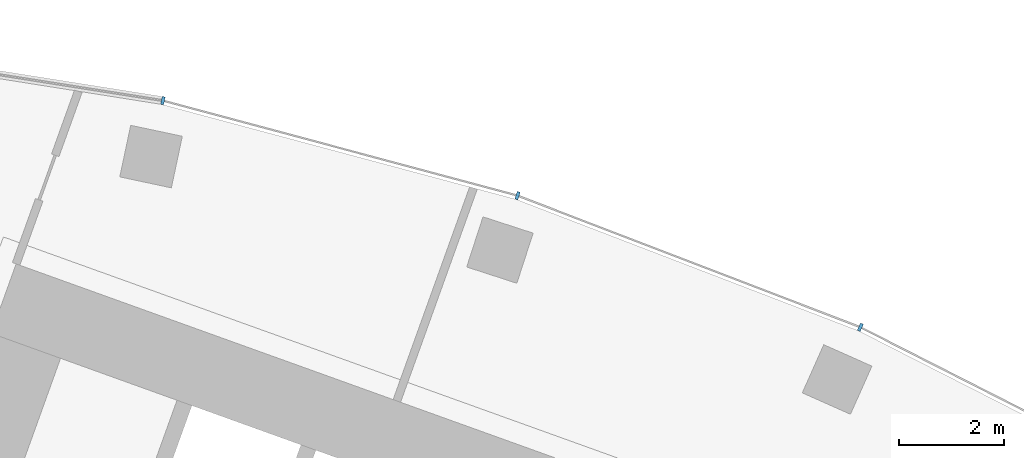
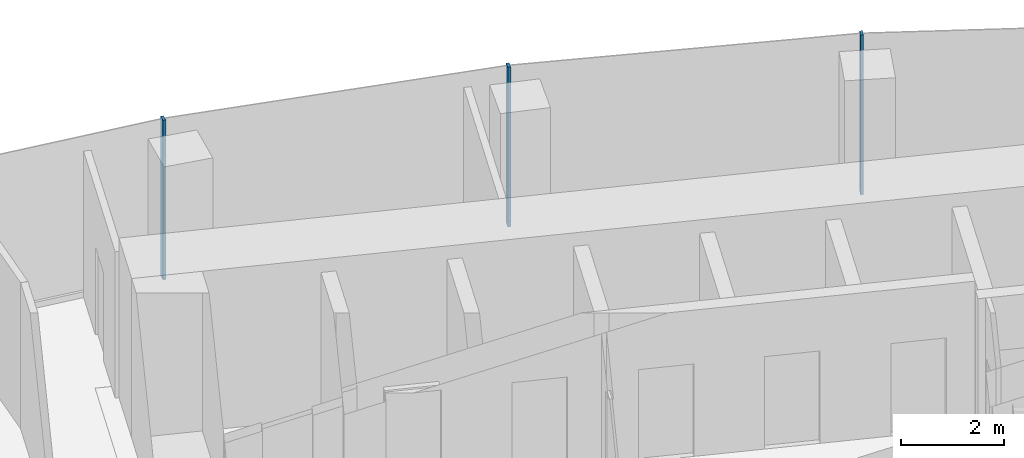
# One storey, part 10 of 21: 3 members, 1 element without a shape of its own.
"""IFC4 building model written with IfcOpenShell, lengths in metres."""

from ifc_helpers import new_model, si_unit, direction, frame, origin, origin_2d, place, context, subcontext, project, spatial, rectangle, extrude, material, layer, layer_set, material_profile, profile_set, type_object, element, aggregate, save


model = new_model("IFC4")

# Units and contexts
model_context = context("Model", 3, precision=1e-05, world=origin(), true_north=direction((0.0, 1.0)))
body_context = subcontext(model_context, "Body", "Model", "MODEL_VIEW")
ifc_project = project(units=[si_unit("LENGTHUNIT", "METRE"), si_unit("AREAUNIT", "SQUARE_METRE"), si_unit("VOLUMEUNIT", "CUBIC_METRE"), si_unit("PLANEANGLEUNIT", "RADIAN"), si_unit("MASSUNIT", "GRAM", prefix="KILO")], contexts=[model_context])

# Site, building, storey
site_placement = place(None, origin())
site = spatial("IfcSite", under=ifc_project, at=site_placement, CompositionType="ELEMENT")
building_placement = place(site_placement, origin())
building = spatial("IfcBuilding", under=site, at=building_placement, Name="Stone Belt Terrace Tower", CompositionType="ELEMENT")
storey_placement = place(building_placement, frame((0.0, 0.0, 151.60009765625)))
storey = spatial("IfcBuildingStorey", under=building, at=storey_placement, Name="L36", CompositionType="ELEMENT", Elevation=151.60009765625)

# Curtain wall, members
ifc_material = material(Name="Aluminium 6063-T6 anodised frame", Category="aluminium")
ifc_layer = layer(ifc_material, 0.14990234375)
ifc_layer_set = layer_set([ifc_layer], Name="CW-A unitised convex-face curtain wall")
curtain_wall_type = type_object("IfcCurtainWallType", Name="CW-A unitised convex-face curtain wall", PredefinedType="NOTDEFINED", material=ifc_layer_set)
curtain_wall_placement = place(storey_placement, origin())
curtain_wall = element("IfcCurtainWall", 1, at=curtain_wall_placement, inside=storey, type_object=curtain_wall_type, Name="CW-A convex face L36", PredefinedType="NOTDEFINED")
ifc_material_profile = material_profile(ifc_material, rectangle(XDim=0.14990234375, YDim=0.06005859375, at=origin_2d()), Name="Aluminium 6063-T6 60x150")
ifc_profile_set = profile_set([ifc_material_profile], Name="Aluminium 6063-T6 anodised frame")
member_type = type_object("IfcMemberType", Name="CW-A mullion 60 x 150", PredefinedType="MULLION", material=ifc_profile_set)
member_1_placement = place(storey_placement, frame((27.07861328125, 60.8193359375, 0.0), z_axis=(0.0, 0.0, 1.0), x_axis=(-0.406736643076, -0.913545457643, 0.0)))
member_1 = element("IfcMember", 2, at=member_1_placement, type_object=member_type, Name="CW-A mullion 5", PredefinedType="MULLION", context=body_context, shape_type="SweptSolid", body=[
    extrude(rectangle(XDim=0.14990234375, YDim=0.06005859375, at=origin_2d()), origin(), (0.0, 0.0, 1.0), 3.7998046875),
])
member_2_placement = place(storey_placement, frame((20.57275390625, 63.316650390625, 0.0), z_axis=(0.0, 0.0, 1.0), x_axis=(-0.309016994375, -0.951056516295, 0.0)))
member_2 = element("IfcMember", 3, at=member_2_placement, type_object=member_type, Name="CW-A mullion 6", PredefinedType="MULLION", context=body_context, shape_type="SweptSolid", body=[
    extrude(rectangle(XDim=0.14990234375, YDim=0.06005859375, at=origin_2d()), origin(), (0.0, 0.0, 1.0), 3.7998046875),
])
member_3_placement = place(storey_placement, frame((13.841796875, 65.120361328125, 0.0), z_axis=(0.0, 0.0, 1.0), x_axis=(-0.207911690818, -0.978147600734, 0.0)))
member_3 = element("IfcMember", 4, at=member_3_placement, type_object=member_type, Name="CW-A mullion 7", PredefinedType="MULLION", context=body_context, shape_type="SweptSolid", body=[
    extrude(rectangle(XDim=0.14990234375, YDim=0.06005859375, at=origin_2d()), origin(), (0.0, 0.0, 1.0), 3.7998046875),
])
aggregate(curtain_wall, [member_1, member_2, member_3])

save(model, "model.ifc")
